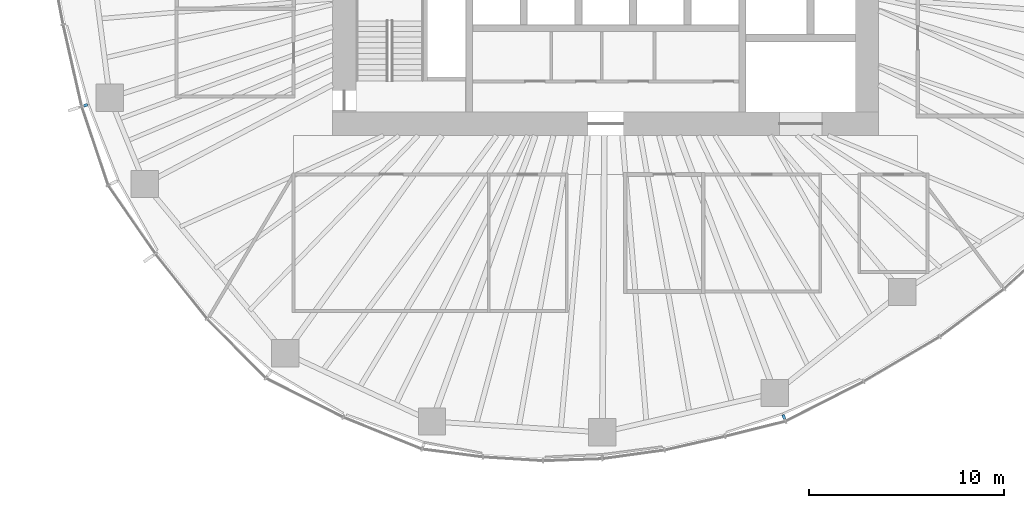
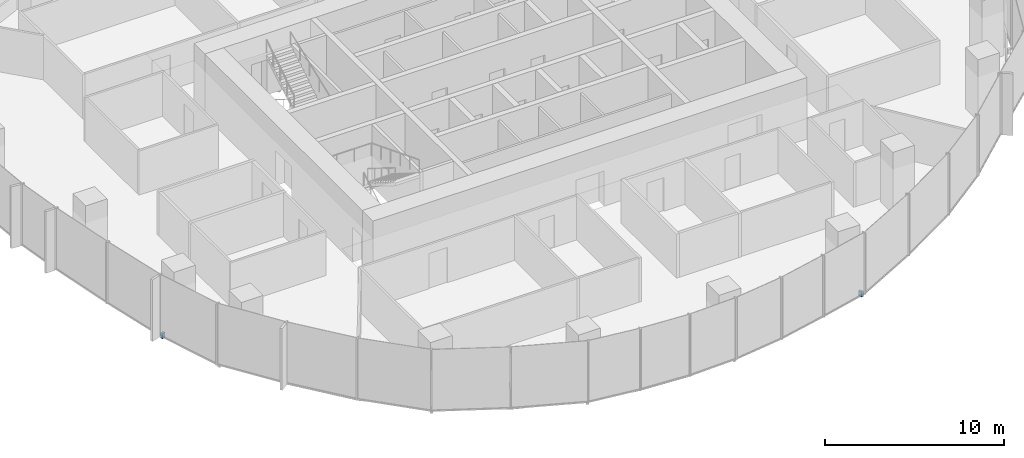
# One storey, part 13 of 18: 2 discrete accessories.
"""IFC4 building model written with IfcOpenShell, lengths in metres."""

from ifc_helpers import new_model, si_unit, direction, frame, origin, origin_2d, place, context, subcontext, project, spatial, rectangle, extrude, material, type_object, element, save


model = new_model("IFC4")

# Units and contexts
model_context = context("Model", 3, precision=1e-05, world=origin(), true_north=direction((0.0, 1.0)))
body_context = subcontext(model_context, "Body", "Model", "MODEL_VIEW")
ifc_project = project(units=[si_unit("LENGTHUNIT", "METRE"), si_unit("AREAUNIT", "SQUARE_METRE"), si_unit("VOLUMEUNIT", "CUBIC_METRE"), si_unit("PLANEANGLEUNIT", "RADIAN"), si_unit("MASSUNIT", "GRAM", prefix="KILO")], contexts=[model_context])

# Site, building, storey
site_placement = place(None, origin())
site = spatial("IfcSite", under=ifc_project, at=site_placement, CompositionType="ELEMENT")
building_placement = place(site_placement, origin())
building = spatial("IfcBuilding", under=site, at=building_placement, Name="Ghaith Harvest Tower", CompositionType="ELEMENT")
storey_placement = place(building_placement, frame((0.0, 0.0, 159.60009765625)))
storey = spatial("IfcBuildingStorey", under=building, at=storey_placement, Name="L34", CompositionType="ELEMENT", Elevation=159.60009765625)

# Discrete accessories
ifc_material_1 = material(Name="Stainless steel grade 1.4401", Category="steel")
discrete_accessory_type_1 = type_object("IfcDiscreteAccessoryType", Name="CURTAIN WALL BRACKET 205", PredefinedType="BRACKET", material=ifc_material_1)
discrete_accessory_1_placement = place(storey_placement, frame((-26.673095703125, -8.453125, -0.250244140625), z_axis=(0.0, 0.0, 1.0), x_axis=(-0.953273219416, -0.302109531701, 0.0)))
element("IfcDiscreteAccessory", 1, at=discrete_accessory_1_placement, inside=storey, type_object=discrete_accessory_type_1, Name="CW-L bracket 1 bay 12 L34", PredefinedType="BRACKET", context=body_context, shape_type="SweptSolid", body=[
    extrude(rectangle(XDim=0.205078125, YDim=0.14990234375, at=origin_2d()), origin(), (0.0, 0.0, 1.0), 0.35009765625),
])
ifc_material_2 = material(Name="Stainless steel grade 1.4401", Category="steel")
discrete_accessory_type_2 = type_object("IfcDiscreteAccessoryType", Name="CURTAIN WALL BRACKET 245", PredefinedType="BRACKET", material=ifc_material_2)
discrete_accessory_2_placement = place(storey_placement, frame((9.135498046875, -24.436767578125, -0.250244140625), z_axis=(0.0, 0.0, 1.0), x_axis=(0.35016769691, -0.93668702566, 0.0)))
element("IfcDiscreteAccessory", 2, at=discrete_accessory_2_placement, inside=storey, type_object=discrete_accessory_type_2, Name="CW-L bracket 1 bay 17 L34", PredefinedType="BRACKET", context=body_context, shape_type="SweptSolid", body=[
    extrude(rectangle(XDim=0.2451171875, YDim=0.14990234375, at=origin_2d()), origin(), (0.0, 0.0, 1.0), 0.35009765625),
])

save(model, "model.ifc")
